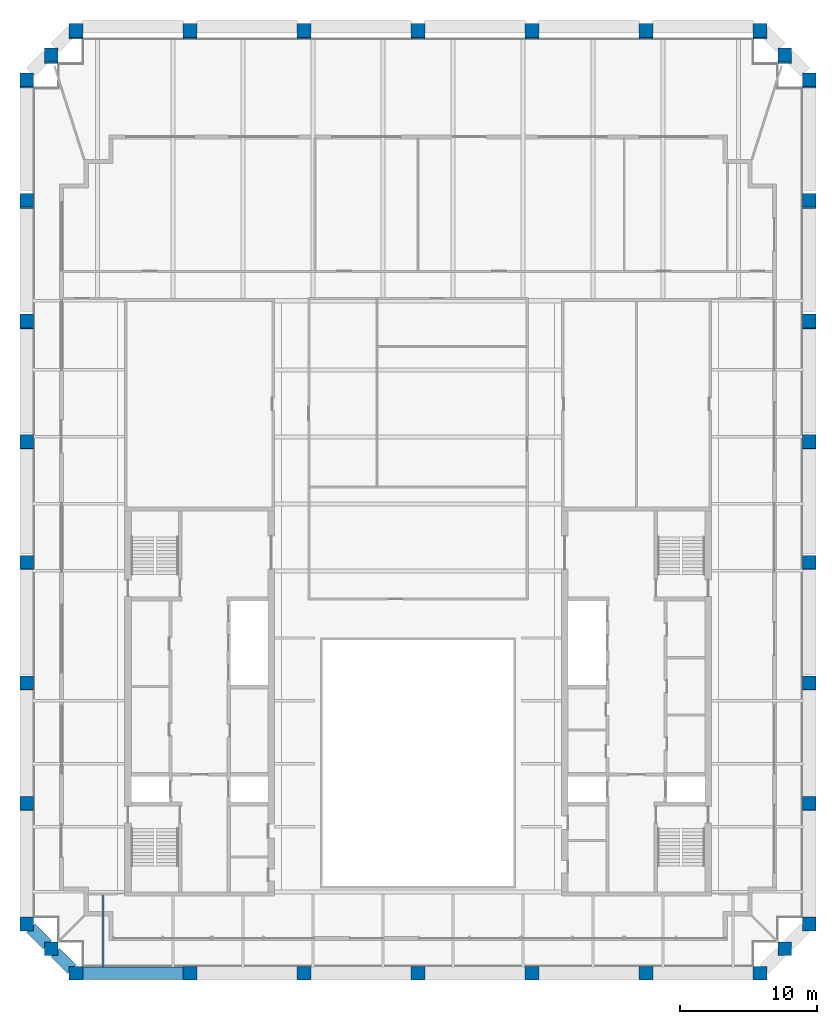
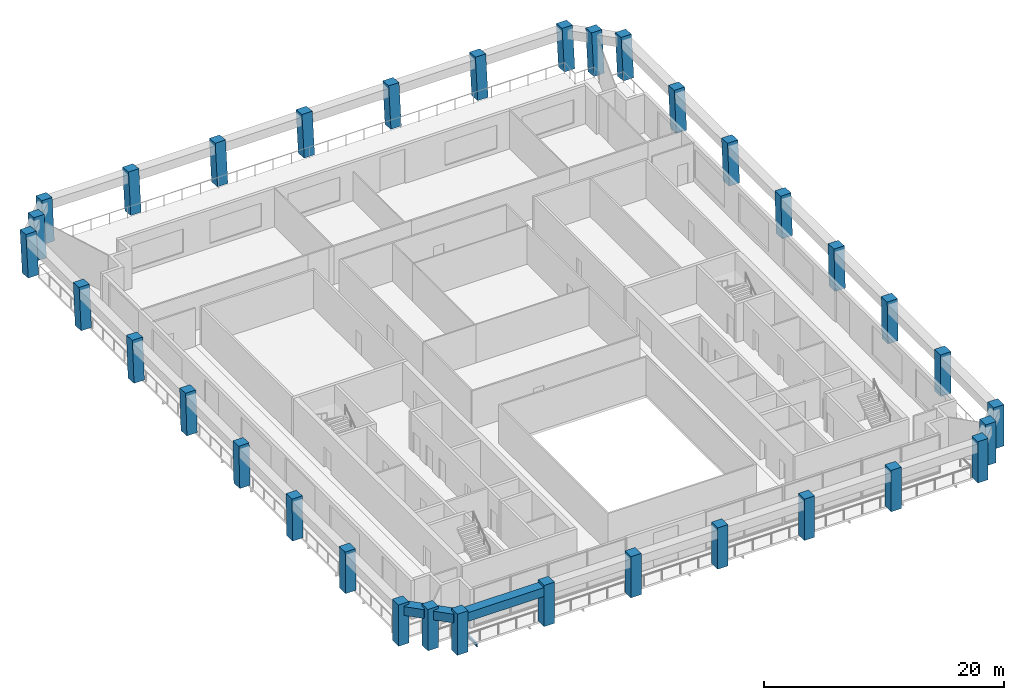
# One storey, part 1 of 10: 34 columns, 4 beams.
"""IFC4 building model written with IfcOpenShell, lengths in metres."""

from ifc_helpers import new_model, si_unit, direction, frame, origin, origin_2d, place, context, subcontext, project, spatial, rectangle, i_section, extrude, material, material_profile, profile_set, type_object, element, save


model = new_model("IFC4")

# Units and contexts
model_context = context("Model", 3, precision=1e-05, world=origin(), true_north=direction((0.0, 1.0)))
body_context = subcontext(model_context, "Body", "Model", "MODEL_VIEW")
ifc_project = project(units=[si_unit("LENGTHUNIT", "METRE"), si_unit("AREAUNIT", "SQUARE_METRE"), si_unit("VOLUMEUNIT", "CUBIC_METRE"), si_unit("PLANEANGLEUNIT", "RADIAN"), si_unit("MASSUNIT", "GRAM", prefix="KILO")], contexts=[model_context])

# Site, building, storey
site_placement = place(None, origin())
site = spatial("IfcSite", under=ifc_project, at=site_placement, CompositionType="ELEMENT")
building_placement = place(site_placement, origin())
building = spatial("IfcBuilding", under=site, at=building_placement, Name="Ogive Exchange Tower", CompositionType="ELEMENT")
storey_placement = place(building_placement, frame((0.0, 0.0, 359.39990234375)))
storey = spatial("IfcBuildingStorey", under=building, at=storey_placement, Name="L79", CompositionType="ELEMENT", Elevation=359.39990234375)

# Columns
ifc_material_1 = material(Name="Precast concrete C70/85 (limestone faced)", Category="masonry")
ifc_material_profile_1 = material_profile(ifc_material_1, rectangle(XDim=1.0, YDim=1.0, at=origin_2d()), Name="1000 x 1000")
ifc_profile_set_1 = profile_set([ifc_material_profile_1], Name="Precast concrete C70/85 (limestone faced)")
column_type = type_object("IfcColumnType", Name="Precast exoskeleton leg 1000 x 1000 C70/85", PredefinedType="COLUMN", material=ifc_profile_set_1)
for number, where, z_axis, x_axis, name in (
    (1, (-25.050048828125, -8.39990234375, 0.0), (0.0, 0.0, 1.0), (1.0, 0.0, 0.0), "Exoskeleton leg 1"),
    (2, (-16.699951171875, -8.39990234375, 0.0), (0.0, 0.0, 1.0), (1.0, 0.0, 0.0), "Exoskeleton leg 2"),
    (3, (-8.35009765625, -8.39990234375, 0.0), (0.0, 0.0, 1.0), (1.0, 0.0, 0.0), "Exoskeleton leg 3"),
    (4, (0.0, -8.39990234375, 0.0), (0.0, 0.0, 1.0), (1.0, 0.0, 0.0), "Exoskeleton leg 4"),
    (5, (8.35009765625, -8.39990234375, 0.0), (0.0, 0.0, 1.0), (1.0, 0.0, 0.0), "Exoskeleton leg 5"),
    (6, (16.699951171875, -8.39990234375, 0.0), (0.0, 0.0, 1.0), (1.0, 0.0, 0.0), "Exoskeleton leg 6"),
    (7, (25.050048828125, -8.39990234375, 0.0), (0.0, 0.0, 1.0), (1.0, 0.0, 0.0), "Exoskeleton leg 7"),
    (8, (28.64990234375, -4.800048828125, 0.0), (0.0, 0.0, 1.0), (1.0, 0.0, 0.0), "Exoskeleton leg 8"),
):
    element("IfcColumn", number, at=place(storey_placement, frame(where, z_axis=z_axis, x_axis=x_axis)), inside=storey, type_object=column_type, Name=name, PredefinedType="COLUMN", context=body_context, shape_type="SweptSolid", body=[
        extrude(rectangle(XDim=1.0, YDim=1.0, at=origin_2d()), origin(), (0.0, 0.0, 1.0), 4.2001953125),
    ])
column_1_placement = place(storey_placement, frame((28.64990234375, 4.018310546875, 0.0), z_axis=(0.0, 0.012961013053, 0.999916002543), x_axis=(-1.0, 0.0, 0.0)))
element("IfcColumn", 9, at=column_1_placement, inside=storey, type_object=column_type, Name="Exoskeleton leg 9", PredefinedType="COLUMN", context=body_context, shape_type="SweptSolid", body=[
    extrude(rectangle(XDim=1.0, YDim=1.0, at=origin_2d()), origin(), (0.0, 0.0, 1.0), 4.200439453125),
])
column_2_placement = place(storey_placement, frame((28.64990234375, 12.83642578125, 0.0), z_axis=(0.0, 0.025973564034, 0.999662630076), x_axis=(-1.0, 0.0, 0.0)))
element("IfcColumn", 10, at=column_2_placement, inside=storey, type_object=column_type, Name="Exoskeleton leg 10", PredefinedType="COLUMN", context=body_context, shape_type="SweptSolid", body=[
    extrude(rectangle(XDim=1.0, YDim=1.0, at=origin_2d()), origin(), (0.0, 0.0, 1.0), 4.20166015625),
])
column_3_placement = place(storey_placement, frame((28.64990234375, 21.654541015625, 0.0), z_axis=(0.0, 0.038914932178, 0.999242527144), x_axis=(-1.0, 0.0, 0.0)))
element("IfcColumn", 11, at=column_3_placement, inside=storey, type_object=column_type, Name="Exoskeleton leg 11", PredefinedType="COLUMN", context=body_context, shape_type="SweptSolid", body=[
    extrude(rectangle(XDim=1.0, YDim=1.0, at=origin_2d()), origin(), (0.0, 0.0, 1.0), 4.203369140625),
])
column_4_placement = place(storey_placement, frame((28.64990234375, 30.47265625, 0.0), z_axis=(0.0, 0.051894640399, 0.998652565359), x_axis=(-1.0, 0.0, 0.0)))
element("IfcColumn", 12, at=column_4_placement, inside=storey, type_object=column_type, Name="Exoskeleton leg 12", PredefinedType="COLUMN", context=body_context, shape_type="SweptSolid", body=[
    extrude(rectangle(XDim=1.0, YDim=1.0, at=origin_2d()), origin(), (0.0, 0.0, 1.0), 4.205810546875),
])
column_5_placement = place(storey_placement, frame((28.64990234375, 39.291015625, 0.0), z_axis=(0.0, 0.064790343495, 0.997898898381), x_axis=(-1.0, 0.0, 0.0)))
element("IfcColumn", 13, at=column_5_placement, inside=storey, type_object=column_type, Name="Exoskeleton leg 13", PredefinedType="COLUMN", context=body_context, shape_type="SweptSolid", body=[
    extrude(rectangle(XDim=1.0, YDim=1.0, at=origin_2d()), origin(), (0.0, 0.0, 1.0), 4.208984375),
])
column_6_placement = place(storey_placement, frame((28.64990234375, 48.109130859375, 0.0), z_axis=(0.0, 0.077653669439, 0.996980394804), x_axis=(-1.0, 0.0, 0.0)))
element("IfcColumn", 14, at=column_6_placement, inside=storey, type_object=column_type, Name="Exoskeleton leg 14", PredefinedType="COLUMN", context=body_context, shape_type="SweptSolid", body=[
    extrude(rectangle(XDim=1.0, YDim=1.0, at=origin_2d()), origin(), (0.0, 0.0, 1.0), 4.212890625),
])
for number, where, z_axis, x_axis, name in (
    (15, (28.64990234375, 56.92724609375, 0.0), (0.0, 0.090535746043, 0.995893206468), (-1.0, 0.0, 0.0), "Exoskeleton leg 15"),
    (16, (25.050048828125, 60.52734375, 0.0), (0.0, 0.090535746043, 0.995893206468), (-1.0, 0.0, 0.0), "Exoskeleton leg 16"),
    (17, (16.699951171875, 60.52734375, 0.0), (0.0, 0.090535746043, 0.995893206468), (-1.0, 0.0, 0.0), "Exoskeleton leg 17"),
    (18, (8.35009765625, 60.52734375, 0.0), (0.0, 0.090535746043, 0.995893206468), (-1.0, 0.0, 0.0), "Exoskeleton leg 18"),
    (19, (0.0, 60.52734375, 0.0), (0.0, 0.090535746043, 0.995893206468), (-1.0, 0.0, 0.0), "Exoskeleton leg 19"),
    (20, (-8.35009765625, 60.52734375, 0.0), (0.0, 0.090535746043, 0.995893206468), (-1.0, 0.0, 0.0), "Exoskeleton leg 20"),
    (21, (-16.699951171875, 60.52734375, 0.0), (0.0, 0.090535746043, 0.995893206468), (-1.0, 0.0, 0.0), "Exoskeleton leg 21"),
    (22, (-25.050048828125, 60.52734375, 0.0), (0.0, 0.090535746043, 0.995893206468), (-1.0, 0.0, 0.0), "Exoskeleton leg 22"),
    (23, (-28.64990234375, 56.92724609375, 0.0), (0.0, 0.090535746043, 0.995893206468), (-1.0, 0.0, 0.0), "Exoskeleton leg 23"),
):
    element("IfcColumn", number, at=place(storey_placement, frame(where, z_axis=z_axis, x_axis=x_axis)), inside=storey, type_object=column_type, Name=name, PredefinedType="COLUMN", context=body_context, shape_type="SweptSolid", body=[
        extrude(rectangle(XDim=1.0, YDim=1.0, at=origin_2d()), origin(), (0.0, 0.0, 1.0), 4.217529296875),
    ])
column_7_placement = place(storey_placement, frame((-28.64990234375, 48.109130859375, 0.0), z_axis=(0.0, 0.077653669439, 0.996980394804), x_axis=(-1.0, 0.0, 0.0)))
element("IfcColumn", 24, at=column_7_placement, inside=storey, type_object=column_type, Name="Exoskeleton leg 24", PredefinedType="COLUMN", context=body_context, shape_type="SweptSolid", body=[
    extrude(rectangle(XDim=1.0, YDim=1.0, at=origin_2d()), origin(), (0.0, 0.0, 1.0), 4.212890625),
])
column_8_placement = place(storey_placement, frame((-28.64990234375, 39.291015625, 0.0), z_axis=(0.0, 0.064790343495, 0.997898898381), x_axis=(-1.0, 0.0, 0.0)))
element("IfcColumn", 25, at=column_8_placement, inside=storey, type_object=column_type, Name="Exoskeleton leg 25", PredefinedType="COLUMN", context=body_context, shape_type="SweptSolid", body=[
    extrude(rectangle(XDim=1.0, YDim=1.0, at=origin_2d()), origin(), (0.0, 0.0, 1.0), 4.208984375),
])
column_9_placement = place(storey_placement, frame((-28.64990234375, 30.47265625, 0.0), z_axis=(0.0, 0.051894640399, 0.998652565359), x_axis=(-1.0, 0.0, 0.0)))
element("IfcColumn", 26, at=column_9_placement, inside=storey, type_object=column_type, Name="Exoskeleton leg 26", PredefinedType="COLUMN", context=body_context, shape_type="SweptSolid", body=[
    extrude(rectangle(XDim=1.0, YDim=1.0, at=origin_2d()), origin(), (0.0, 0.0, 1.0), 4.205810546875),
])
column_10_placement = place(storey_placement, frame((-28.64990234375, 21.654541015625, 0.0), z_axis=(0.0, 0.038914932178, 0.999242527144), x_axis=(-1.0, 0.0, 0.0)))
element("IfcColumn", 27, at=column_10_placement, inside=storey, type_object=column_type, Name="Exoskeleton leg 27", PredefinedType="COLUMN", context=body_context, shape_type="SweptSolid", body=[
    extrude(rectangle(XDim=1.0, YDim=1.0, at=origin_2d()), origin(), (0.0, 0.0, 1.0), 4.203369140625),
])
column_11_placement = place(storey_placement, frame((-28.64990234375, 12.83642578125, 0.0), z_axis=(0.0, 0.025973564034, 0.999662630076), x_axis=(-1.0, 0.0, 0.0)))
element("IfcColumn", 28, at=column_11_placement, inside=storey, type_object=column_type, Name="Exoskeleton leg 28", PredefinedType="COLUMN", context=body_context, shape_type="SweptSolid", body=[
    extrude(rectangle(XDim=1.0, YDim=1.0, at=origin_2d()), origin(), (0.0, 0.0, 1.0), 4.20166015625),
])
column_12_placement = place(storey_placement, frame((-28.64990234375, 4.018310546875, 0.0), z_axis=(0.0, 0.012961013053, 0.999916002543), x_axis=(-1.0, 0.0, 0.0)))
element("IfcColumn", 29, at=column_12_placement, inside=storey, type_object=column_type, Name="Exoskeleton leg 29", PredefinedType="COLUMN", context=body_context, shape_type="SweptSolid", body=[
    extrude(rectangle(XDim=1.0, YDim=1.0, at=origin_2d()), origin(), (0.0, 0.0, 1.0), 4.200439453125),
])
for number, where, z_axis, x_axis, name in (
    (30, (-28.64990234375, -4.800048828125, 0.0), (0.0, 0.0, 1.0), (1.0, 0.0, 0.0), "Exoskeleton leg 30"),
    (31, (26.85009765625, -6.60009765625, 0.0), (0.0, 0.0, 1.0), (1.0, 0.0, 0.0), "Exoskeleton leg 31"),
):
    element("IfcColumn", number, at=place(storey_placement, frame(where, z_axis=z_axis, x_axis=x_axis)), inside=storey, type_object=column_type, Name=name, PredefinedType="COLUMN", context=body_context, shape_type="SweptSolid", body=[
        extrude(rectangle(XDim=1.0, YDim=1.0, at=origin_2d()), origin(), (0.0, 0.0, 1.0), 4.2001953125),
    ])
for number, where, z_axis, x_axis, name in (
    (32, (26.85009765625, 58.727294921875, 0.0), (0.0, 0.090535746043, 0.995893206468), (-1.0, 0.0, 0.0), "Exoskeleton leg 32"),
    (33, (-26.85009765625, 58.727294921875, 0.0), (0.0, 0.090535746043, 0.995893206468), (-1.0, 0.0, 0.0), "Exoskeleton leg 33"),
):
    element("IfcColumn", number, at=place(storey_placement, frame(where, z_axis=z_axis, x_axis=x_axis)), inside=storey, type_object=column_type, Name=name, PredefinedType="COLUMN", context=body_context, shape_type="SweptSolid", body=[
        extrude(rectangle(XDim=1.0, YDim=1.0, at=origin_2d()), origin(), (0.0, 0.0, 1.0), 4.217529296875),
    ])
column_13_placement = place(storey_placement, frame((-26.85009765625, -6.60009765625, 0.0), z_axis=(0.0, 0.0, 1.0), x_axis=(1.0, 0.0, 0.0)))
element("IfcColumn", 34, at=column_13_placement, inside=storey, type_object=column_type, Name="Exoskeleton leg 34", PredefinedType="COLUMN", context=body_context, shape_type="SweptSolid", body=[
    extrude(rectangle(XDim=1.0, YDim=1.0, at=origin_2d()), origin(), (0.0, 0.0, 1.0), 4.2001953125),
])

# Beams
ifc_material_2 = material(Name="Steel ASTM A992 Gr50", Category="steel")
ifc_material_profile_2 = material_profile(ifc_material_2, i_section(OverallWidth=0.1650390625, OverallDepth=0.31005859375, WebThickness=0.005859375, FlangeThickness=0.009765625, at=origin_2d()), Name="W310x38.7")
ifc_profile_set_2 = profile_set([ifc_material_profile_2], Name="Steel ASTM A992 Gr50")
beam_type_1 = type_object("IfcBeamType", Name="Floor beam W310x38.7", PredefinedType="JOIST", material=ifc_profile_set_2)
beam_1_placement = place(storey_placement, frame((-23.07275390625, -7.949951171875, -0.40478515625), z_axis=(0.0, 1.0, 0.0), x_axis=(-1.0, 0.0, 0.0)))
element("IfcBeam", 35, at=beam_1_placement, inside=storey, type_object=beam_type_1, Name="Floor beam", PredefinedType="JOIST", context=body_context, shape_type="SweptSolid", body=[
    extrude(i_section(OverallWidth=0.1650390625, OverallDepth=0.31005859375, WebThickness=0.005859375, FlangeThickness=0.009765625, at=origin_2d()), origin(), (0.0, 0.0, 1.0), 5.416015625),
])
ifc_material_profile_3 = material_profile(ifc_material_1, rectangle(XDim=0.89990234375, YDim=0.89990234375, at=origin_2d()), Name="900 x 900")
ifc_profile_set_3 = profile_set([ifc_material_profile_3], Name="Precast concrete C70/85 (limestone faced)")
beam_type_2 = type_object("IfcBeamType", Name="Precast spandrel 900 x 900 C70/85", PredefinedType="SPANDREL", material=ifc_profile_set_3)
beam_2_placement = place(storey_placement, frame((-24.570068359375, -8.39990234375, 3.5), z_axis=(1.0, 0.0, 0.0), x_axis=(0.0, 1.0, 0.0)))
element("IfcBeam", 36, at=beam_2_placement, inside=storey, type_object=beam_type_2, Name="Spandrel 1", PredefinedType="SPANDREL", context=body_context, shape_type="SweptSolid", body=[
    extrude(rectangle(XDim=0.89990234375, YDim=0.89990234375, at=origin_2d()), origin(), (0.0, 0.0, 1.0), 7.39013671875),
])
for number, where, z_axis, x_axis, name in (
    (37, (-28.362060546875, -5.087890625, 3.5), (0.707106781187, -0.707106781187, 0.0), (0.707106781187, 0.707106781187, 0.0), "Spandrel 33"),
    (38, (-26.56201171875, -6.887939453125, 3.5), (0.707106781187, -0.707106781187, 0.0), (0.707106781187, 0.707106781187, 0.0), "Spandrel 34"),
):
    element("IfcBeam", number, at=place(storey_placement, frame(where, z_axis=z_axis, x_axis=x_axis)), inside=storey, type_object=beam_type_2, Name=name, PredefinedType="SPANDREL", context=body_context, shape_type="SweptSolid", body=[
        extrude(rectangle(XDim=0.89990234375, YDim=0.89990234375, at=origin_2d()), origin(), (0.0, 0.0, 1.0), 1.731201171875),
    ])

save(model, "model.ifc")
